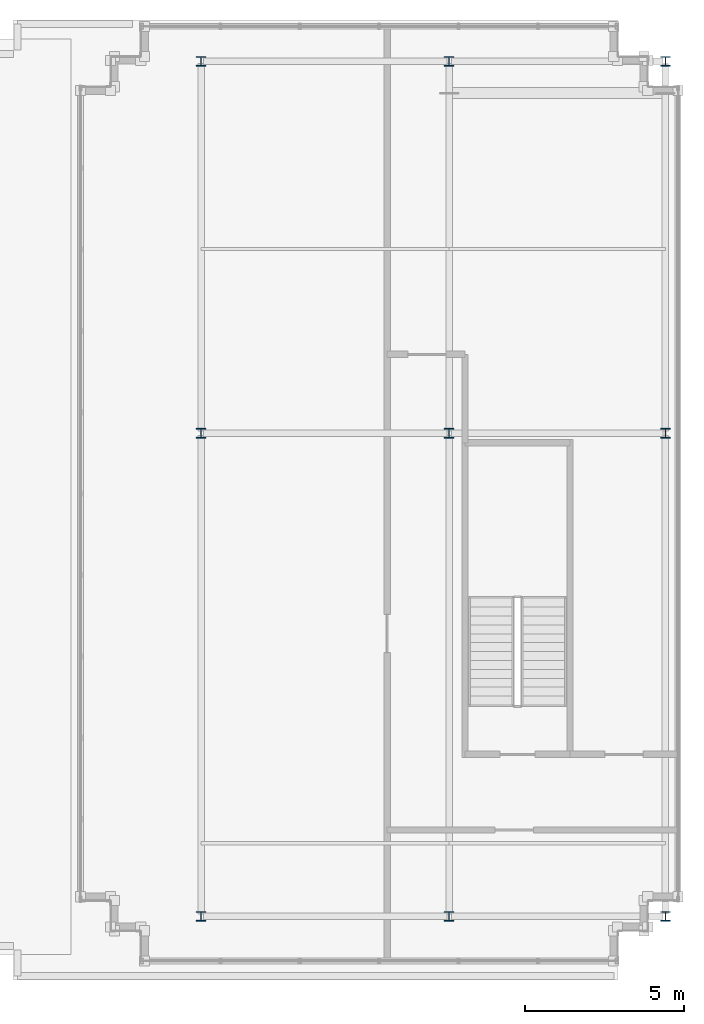
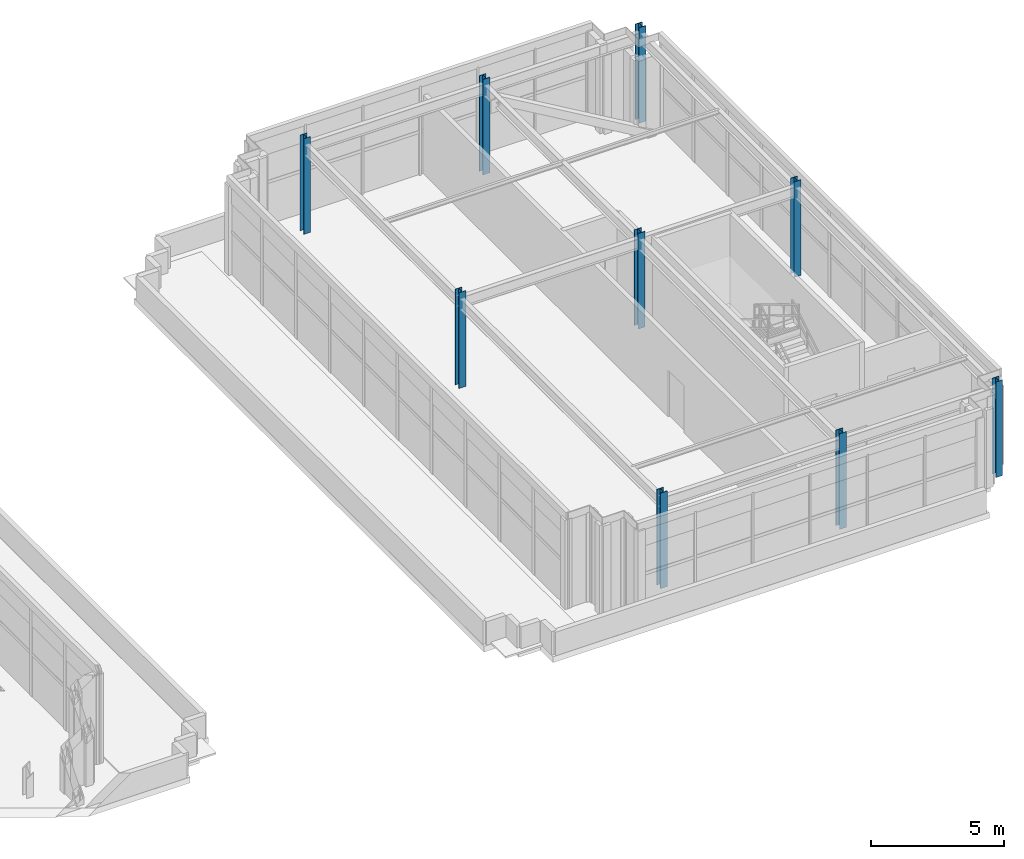
# One storey, part 2 of 28: 9 columns.
"""IFC4 building model written with IfcOpenShell, lengths in metres."""

from ifc_helpers import new_model, si_unit, direction, frame, origin, origin_2d, place, context, subcontext, project, spatial, i_section, extrude, source, transform, mapped, material, material_profile, profile_set, type_object, element, save


model = new_model("IFC4")

# Units and contexts
model_context = context("Model", 3, precision=1e-05, world=origin(), true_north=direction((0.0, 1.0)))
body_context = subcontext(model_context, "Body", "Model", "MODEL_VIEW")
ifc_project = project(units=[si_unit("LENGTHUNIT", "METRE"), si_unit("AREAUNIT", "SQUARE_METRE"), si_unit("VOLUMEUNIT", "CUBIC_METRE"), si_unit("PLANEANGLEUNIT", "RADIAN"), si_unit("MASSUNIT", "GRAM", prefix="KILO")], contexts=[model_context])

# Site, building, storey
site_placement = place(None, origin())
site = spatial("IfcSite", under=ifc_project, at=site_placement, CompositionType="ELEMENT")
building_placement = place(site_placement, origin())
building = spatial("IfcBuilding", under=site, at=building_placement, Name="Trelvane Seafront Commons", CompositionType="ELEMENT")
storey_placement = place(building_placement, frame((0.0, 0.0, 312.300048828125)))
storey = spatial("IfcBuildingStorey", under=building, at=storey_placement, Name="L81", CompositionType="ELEMENT", Elevation=312.300048828125)

# Columns
ifc_material = material(Name="Steel SM355 (S355)", Category="steel")
ifc_material_profile = material_profile(ifc_material, i_section(OverallWidth=0.300048828125, OverallDepth=0.300048828125, WebThickness=0.014892578125, FlangeThickness=0.02392578125, at=origin_2d()), Name="HD-300x300x15x24")
ifc_profile_set = profile_set([ifc_material_profile], Name="Steel SM355 (S355)")
column_type = type_object("IfcColumnType", Name="STR-CROWN-FRAME-COL", PredefinedType="COLUMN", material=ifc_profile_set)
shared_shape = source(origin(), body_context, "Body", "SweptSolid", [
    extrude(i_section(OverallWidth=0.300048828125, OverallDepth=0.300048828125, WebThickness=0.014892578125, FlangeThickness=0.02392578125, at=origin_2d()), origin(), (0.0, 0.0, 1.0), 4.39990234375),
])
for number, where, z_axis, x_axis, name in (
    (1, (51.0, 18.199951171875, 0.0), (0.0, 0.0, 1.0), (1.0, 0.0, 0.0), "L81 CROWN FRAME Column CRN-4-1"),
    (2, (51.0, 33.39990234375, 0.0), (0.0, 0.0, 1.0), (1.0, 0.0, 0.0), "L81 CROWN FRAME Column CRN-4-2"),
    (3, (51.0, 45.10009765625, 0.0), (0.0, 0.0, 1.0), (1.0, 0.0, 0.0), "L81 CROWN FRAME Column CRN-4-3"),
    (4, (58.800048828125, 18.199951171875, 0.0), (0.0, 0.0, 1.0), (1.0, 0.0, 0.0), "L81 CROWN FRAME Column CRN-5-1"),
    (5, (58.800048828125, 33.39990234375, 0.0), (0.0, 0.0, 1.0), (1.0, 0.0, 0.0), "L81 CROWN FRAME Column CRN-5-2"),
    (6, (58.800048828125, 45.10009765625, 0.0), (0.0, 0.0, 1.0), (1.0, 0.0, 0.0), "L81 CROWN FRAME Column CRN-5-3"),
    (7, (65.60009765625, 18.199951171875, 0.0), (0.0, 0.0, 1.0), (1.0, 0.0, 0.0), "L81 CROWN FRAME Column CRN-6-1"),
    (8, (65.60009765625, 33.39990234375, 0.0), (0.0, 0.0, 1.0), (1.0, 0.0, 0.0), "L81 CROWN FRAME Column CRN-6-2"),
    (9, (65.60009765625, 45.10009765625, 0.0), (0.0, 0.0, 1.0), (1.0, 0.0, 0.0), "L81 CROWN FRAME Column CRN-6-3"),
):
    element("IfcColumn", number, at=place(storey_placement, frame(where, z_axis=z_axis, x_axis=x_axis)), inside=storey, type_object=column_type, Name=name, PredefinedType="COLUMN", context=body_context, shape_type="MappedRepresentation", body=[
        mapped(shared_shape, transform((0.0, 0.0, 0.0), x_axis=(1.0, 0.0, 0.0), y_axis=(0.0, 1.0, 0.0), z_axis=(0.0, 0.0, 1.0), scale=1.0)),
    ])

save(model, "model.ifc")
